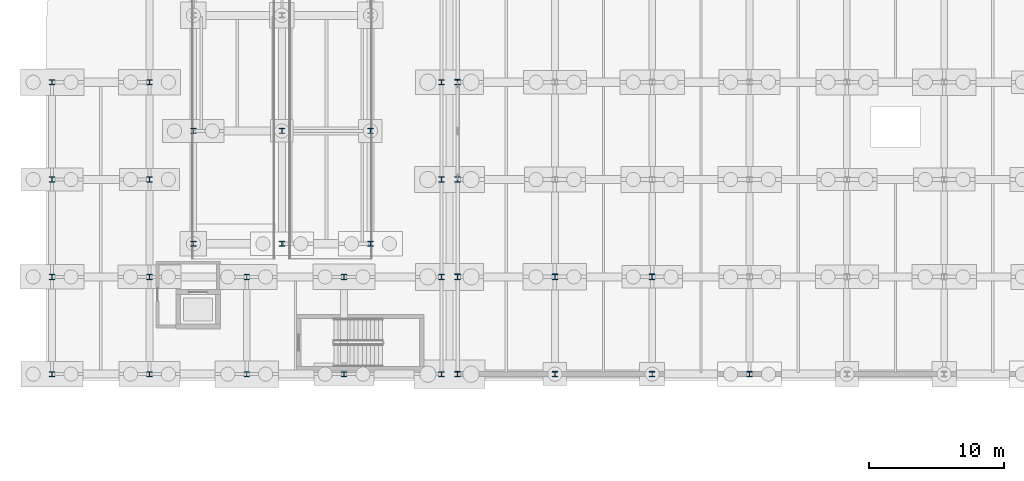
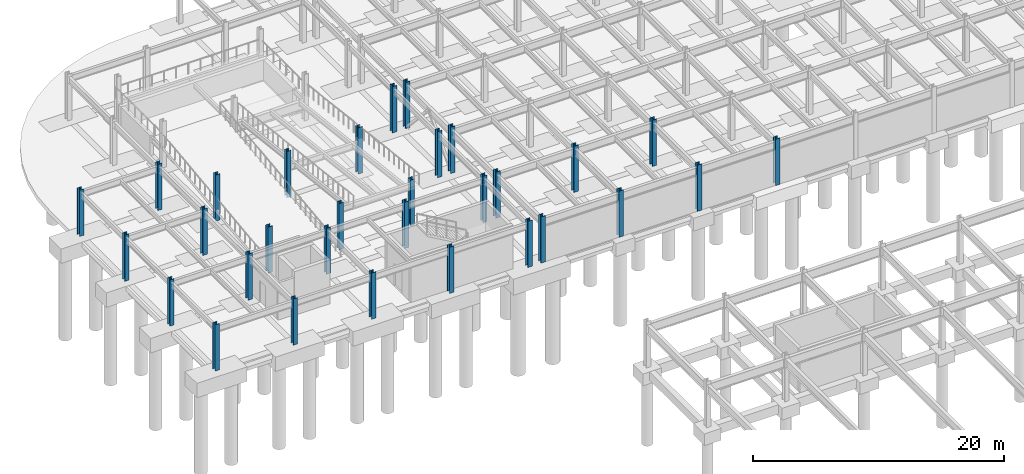
# One storey, part 17 of 54: 31 columns.
"""IFC4 building model written with IfcOpenShell, lengths in metres."""

from ifc_helpers import new_model, si_unit, direction, frame, origin, origin_2d, place, context, subcontext, project, spatial, i_section, extrude, material, material_profile, profile_set, type_object, element, save


model = new_model("IFC4")

# Units and contexts
model_context = context("Model", 3, precision=1e-05, world=origin(), true_north=direction((0.0, 1.0)))
body_context = subcontext(model_context, "Body", "Model", "MODEL_VIEW")
ifc_project = project(units=[si_unit("LENGTHUNIT", "METRE"), si_unit("AREAUNIT", "SQUARE_METRE"), si_unit("VOLUMEUNIT", "CUBIC_METRE"), si_unit("PLANEANGLEUNIT", "RADIAN"), si_unit("MASSUNIT", "GRAM", prefix="KILO")], contexts=[model_context])

# Site, building, storey
site_placement = place(None, origin())
site = spatial("IfcSite", under=ifc_project, at=site_placement, CompositionType="ELEMENT")
building_placement = place(site_placement, origin())
building = spatial("IfcBuilding", under=site, at=building_placement, Name="Vaelcorin Mobility Hub", CompositionType="ELEMENT")
storey_placement = place(building_placement, frame((0.0, 0.0, -4.5)))
storey = spatial("IfcBuildingStorey", under=building, at=storey_placement, Name="B1", CompositionType="ELEMENT", Elevation=-4.5)

# Columns
ifc_material = material(Name="Steel ASTM A992 Grade 50", Category="steel")
ifc_material_profile_1 = material_profile(ifc_material, i_section(OverallWidth=0.39599609375, OverallDepth=0.381103515625, WebThickness=0.018798828125, FlangeThickness=0.0302734375, FilletRadius=0.014892578125, at=origin_2d()), Name="W14X159")
ifc_profile_set_1 = profile_set([ifc_material_profile_1], Name="Steel ASTM A992 Grade 50")
column_type_1 = type_object("IfcColumnType", Name="COL-W14X159", PredefinedType="COLUMN", material=ifc_profile_set_1)
for number, where, z_axis, x_axis, name in (
    (1, (16.449951171875, 86.449951171875, 0.0), (0.0, 0.0, 1.0), (1.0, 0.0, 0.0), "Column V2W-RDRM-WS B1"),
    (2, (23.0, 86.449951171875, 0.0), (0.0, 0.0, 1.0), (1.0, 0.0, 0.0), "Column V2W-RDRM-MS B1"),
    (3, (29.550048828125, 86.449951171875, 0.0), (0.0, 0.0, 1.0), (1.0, 0.0, 0.0), "Column V2W-RDRM-ES B1"),
    (4, (16.449951171875, 94.800048828125, 0.0), (0.0, 0.0, 1.0), (1.0, 0.0, 0.0), "Column V2W-RDRM-WC B1"),
    (5, (23.0, 94.800048828125, 0.0), (0.0, 0.0, 1.0), (1.0, 0.0, 0.0), "Column V2W-RDRM-MC B1"),
    (6, (29.550048828125, 94.800048828125, 0.0), (0.0, 0.0, 1.0), (1.0, 0.0, 0.0), "Column V2W-RDRM-EC B1"),
):
    element("IfcColumn", number, at=place(storey_placement, frame(where, z_axis=z_axis, x_axis=x_axis)), inside=storey, type_object=column_type_1, Name=name, PredefinedType="COLUMN", context=body_context, shape_type="SweptSolid", body=[
        extrude(i_section(OverallWidth=0.39599609375, OverallDepth=0.381103515625, WebThickness=0.018798828125, FlangeThickness=0.0302734375, FilletRadius=0.014892578125, at=origin_2d()), origin(), (0.0, 0.0, 1.0), 4.5),
    ])
ifc_material_profile_2 = material_profile(ifc_material, i_section(OverallWidth=0.39892578125, OverallDepth=0.39404296875, WebThickness=0.022705078125, FlangeThickness=0.03662109375, FilletRadius=0.014892578125, at=origin_2d()), Name="W14X193")
ifc_profile_set_2 = profile_set([ifc_material_profile_2], Name="Steel ASTM A992 Grade 50")
column_type_2 = type_object("IfcColumnType", Name="COL-W14X193", PredefinedType="COLUMN", material=ifc_profile_set_2)
for number, where, z_axis, x_axis, name in (
    (7, (6.0, 76.800048828125, 0.0), (0.0, 0.0, 1.0), (1.0, 0.0, 0.0), "Column V2W-G1x1 B1"),
    (8, (6.0, 84.0, 0.0), (0.0, 0.0, 1.0), (1.0, 0.0, 0.0), "Column V2W-G1x2 B1"),
    (9, (6.0, 91.199951171875, 0.0), (0.0, 0.0, 1.0), (1.0, 0.0, 0.0), "Column V2W-G1x3 B1"),
    (10, (6.0, 98.39990234375, 0.0), (0.0, 0.0, 1.0), (1.0, 0.0, 0.0), "Column V2W-G1x4 B1"),
    (11, (13.199951171875, 76.800048828125, 0.0), (0.0, 0.0, 1.0), (1.0, 0.0, 0.0), "Column V2W-G2x1 B1"),
    (12, (13.199951171875, 84.0, 0.0), (0.0, 0.0, 1.0), (1.0, 0.0, 0.0), "Column V2W-G2x2 B1"),
    (13, (13.199951171875, 91.199951171875, 0.0), (0.0, 0.0, 1.0), (1.0, 0.0, 0.0), "Column V2W-G2x3 B1"),
    (14, (13.199951171875, 98.39990234375, 0.0), (0.0, 0.0, 1.0), (1.0, 0.0, 0.0), "Column V2W-G2x4 B1"),
    (15, (20.39990234375, 76.800048828125, 0.0), (0.0, 0.0, 1.0), (1.0, 0.0, 0.0), "Column V2W-G3x1 B1"),
    (16, (20.39990234375, 84.0, 0.0), (0.0, 0.0, 1.0), (1.0, 0.0, 0.0), "Column V2W-G3x2 B1"),
    (17, (27.60009765625, 76.800048828125, 0.0), (0.0, 0.0, 1.0), (1.0, 0.0, 0.0), "Column V2W-G4x1 B1"),
    (18, (27.60009765625, 84.0, 0.0), (0.0, 0.0, 1.0), (1.0, 0.0, 0.0), "Column V2W-G4x2 B1"),
    (19, (34.800048828125, 76.800048828125, 0.0), (0.0, 0.0, 1.0), (1.0, 0.0, 0.0), "Column V2W-G5x1 B1"),
    (20, (34.800048828125, 84.0, 0.0), (0.0, 0.0, 1.0), (1.0, 0.0, 0.0), "Column V2W-G5x2 B1"),
    (21, (34.800048828125, 91.199951171875, 0.0), (0.0, 0.0, 1.0), (1.0, 0.0, 0.0), "Column V2W-G5x3 B1"),
    (22, (34.800048828125, 98.39990234375, 0.0), (0.0, 0.0, 1.0), (1.0, 0.0, 0.0), "Column V2W-G5x4 B1"),
):
    element("IfcColumn", number, at=place(storey_placement, frame(where, z_axis=z_axis, x_axis=x_axis)), inside=storey, type_object=column_type_2, Name=name, PredefinedType="COLUMN", context=body_context, shape_type="SweptSolid", body=[
        extrude(i_section(OverallWidth=0.39892578125, OverallDepth=0.39404296875, WebThickness=0.022705078125, FlangeThickness=0.03662109375, FilletRadius=0.014892578125, at=origin_2d()), origin(), (0.0, 0.0, 1.0), 4.5),
    ])
ifc_material_profile_3 = material_profile(ifc_material, i_section(OverallWidth=0.404052734375, OverallDepth=0.406005859375, WebThickness=0.027099609375, FlangeThickness=0.043701171875, FilletRadius=0.014892578125, at=origin_2d()), Name="W14X233")
ifc_profile_set_3 = profile_set([ifc_material_profile_3], Name="Steel ASTM A992 Grade 50")
column_type_3 = type_object("IfcColumnType", Name="COL-W14X233", PredefinedType="COLUMN", material=ifc_profile_set_3)
for number, where, z_axis, x_axis, name in (
    (23, (36.0, 76.800048828125, 0.0), (0.0, 0.0, 1.0), (1.0, 0.0, 0.0), "Column V4-X01Y01 B1"),
    (24, (36.0, 91.199951171875, 0.0), (0.0, 0.0, 1.0), (1.0, 0.0, 0.0), "Column V4-X01Y03 B1"),
    (25, (36.0, 98.39990234375, 0.0), (0.0, 0.0, 1.0), (1.0, 0.0, 0.0), "Column V4-X01Y04 B1"),
    (26, (43.199951171875, 76.800048828125, 0.0), (0.0, 0.0, 1.0), (1.0, 0.0, 0.0), "Column V4-X02Y01 B1"),
    (27, (50.39990234375, 76.800048828125, 0.0), (0.0, 0.0, 1.0), (1.0, 0.0, 0.0), "Column V4-X03Y01 B1"),
    (28, (57.60009765625, 76.800048828125, 0.0), (0.0, 0.0, 1.0), (1.0, 0.0, 0.0), "Column V4-X04Y01 B1"),
):
    element("IfcColumn", number, at=place(storey_placement, frame(where, z_axis=z_axis, x_axis=x_axis)), inside=storey, type_object=column_type_3, Name=name, PredefinedType="COLUMN", context=body_context, shape_type="SweptSolid", body=[
        extrude(i_section(OverallWidth=0.404052734375, OverallDepth=0.406005859375, WebThickness=0.027099609375, FlangeThickness=0.043701171875, FilletRadius=0.014892578125, at=origin_2d()), origin(), (0.0, 0.0, 1.0), 4.5),
    ])
ifc_material_profile_4 = material_profile(ifc_material, i_section(OverallWidth=0.408935546875, OverallDepth=0.424072265625, WebThickness=0.03271484375, FlangeThickness=0.052490234375, FilletRadius=0.014892578125, at=origin_2d()), Name="W14X283")
ifc_profile_set_4 = profile_set([ifc_material_profile_4], Name="Steel ASTM A992 Grade 50")
column_type_4 = type_object("IfcColumnType", Name="COL-W14X283", PredefinedType="COLUMN", material=ifc_profile_set_4)
for number, where, z_axis, x_axis, name in (
    (29, (36.0, 84.0, 0.0), (0.0, 0.0, 1.0), (1.0, 0.0, 0.0), "Column V4-X01Y02 B1"),
    (30, (43.199951171875, 84.0, 0.0), (0.0, 0.0, 1.0), (1.0, 0.0, 0.0), "Column V4-X02Y02 B1"),
    (31, (50.39990234375, 84.0, 0.0), (0.0, 0.0, 1.0), (1.0, 0.0, 0.0), "Column V4-X03Y02 B1"),
):
    element("IfcColumn", number, at=place(storey_placement, frame(where, z_axis=z_axis, x_axis=x_axis)), inside=storey, type_object=column_type_4, Name=name, PredefinedType="COLUMN", context=body_context, shape_type="SweptSolid", body=[
        extrude(i_section(OverallWidth=0.408935546875, OverallDepth=0.424072265625, WebThickness=0.03271484375, FlangeThickness=0.052490234375, FilletRadius=0.014892578125, at=origin_2d()), origin(), (0.0, 0.0, 1.0), 4.5),
    ])

save(model, "model.ifc")
